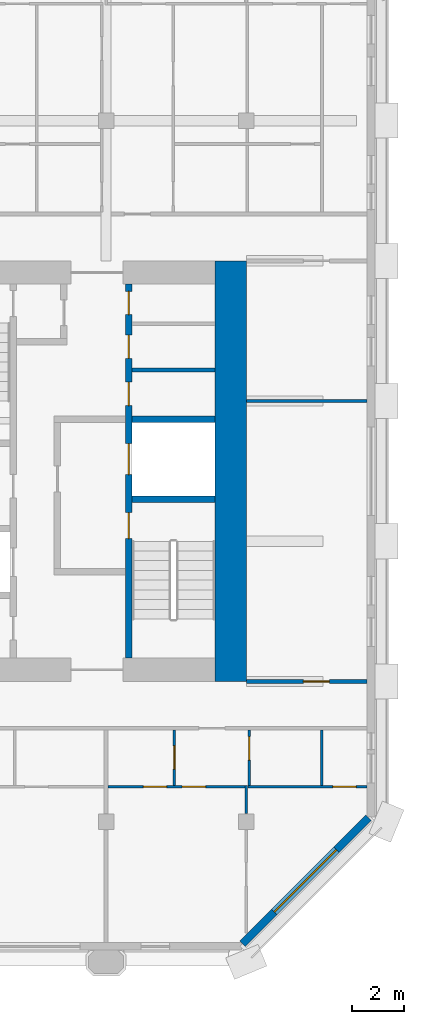
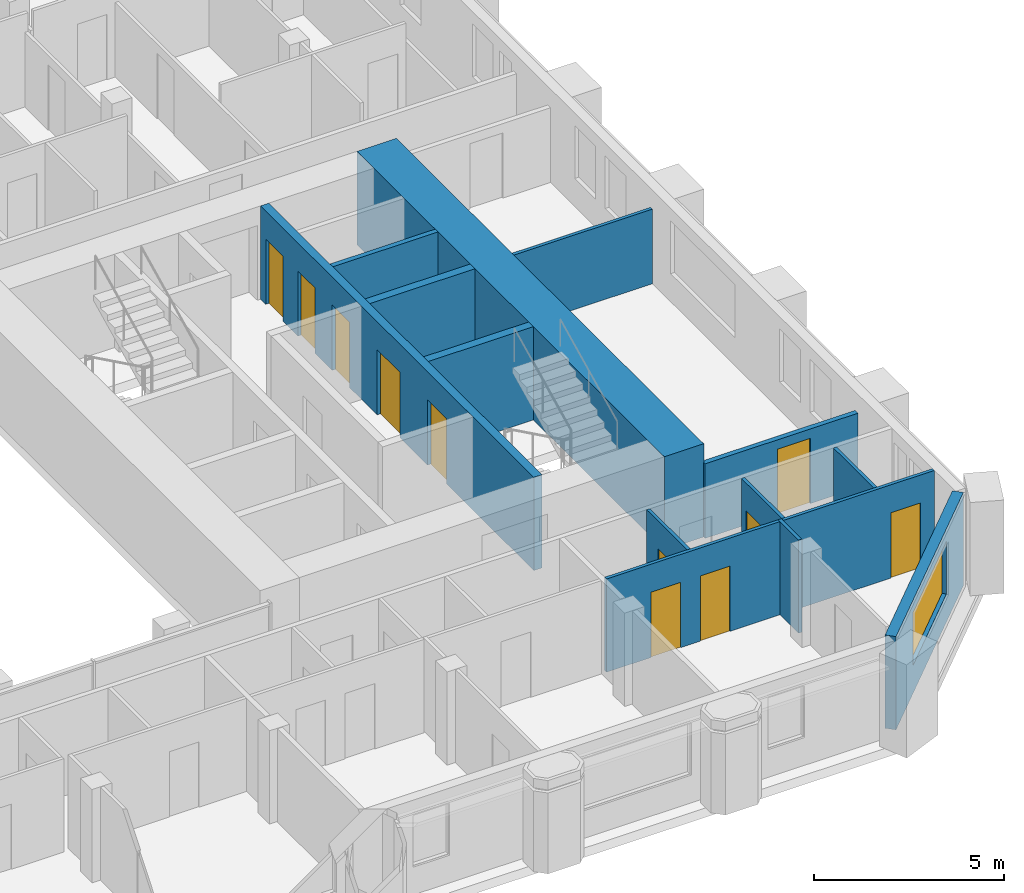
# One storey, part 7 of 13: 14 walls, 11 doors, 1 window, 12 openings.
"""IFC4 building model written with IfcOpenShell, lengths in metres."""

from ifc_helpers import new_model, si_unit, direction, frame, frame_2d, origin, place, context, subcontext, project, spatial, rectangle, extrude, material, layer, layer_set, type_object, element, fill, save


model = new_model("IFC4")

# Units and contexts
model_context = context("Model", 3, precision=1e-05, world=origin(), true_north=direction((0.0, 1.0)))
body_context = subcontext(model_context, "Body", "Model", "MODEL_VIEW")
ifc_project = project(units=[si_unit("LENGTHUNIT", "METRE"), si_unit("AREAUNIT", "SQUARE_METRE"), si_unit("VOLUMEUNIT", "CUBIC_METRE"), si_unit("PLANEANGLEUNIT", "RADIAN"), si_unit("MASSUNIT", "GRAM", prefix="KILO")], contexts=[model_context])

# Site, building, storey
site_placement = place(None, origin())
site = spatial("IfcSite", under=ifc_project, at=site_placement, CompositionType="ELEMENT")
building_placement = place(site_placement, origin())
building = spatial("IfcBuilding", under=site, at=building_placement, Name="Tabaq Tower and Sports Hall", CompositionType="ELEMENT")
storey_placement = place(building_placement, frame((0.0, 0.0, 301.60009765625)))
storey = spatial("IfcBuildingStorey", under=building, at=storey_placement, Name="L75", CompositionType="ELEMENT", Elevation=301.60009765625)

# Walls
ifc_material_1 = material(Name="Blockwork", Category="masonry")
ifc_layer_1 = layer(ifc_material_1, 0.14990234375)
ifc_layer_set_1 = layer_set([ifc_layer_1], Name="Core room partition 150 Blockwork")
wall_type_1 = type_object("IfcWallType", Name="Core room partition 150 Blockwork", PredefinedType="PARTITIONING", material=ifc_layer_set_1)
wall_1_placement = place(storey_placement, frame((38.800048828125, 28.200927734375, 0.0), z_axis=(0.0, 0.0, 1.0), x_axis=(1.0, 0.0, 0.0)))
element("IfcWall", 1, at=wall_1_placement, inside=storey, type_object=wall_type_1, Name="Core room partition E L75", PredefinedType="PARTITIONING", context=body_context, shape_type="SweptSolid", body=[
    extrude(rectangle(XDim=3.199951171875, YDim=0.14990234375, at=frame_2d((1.60009765625, 0.0))), origin(), (0.0, 0.0, 1.0), 3.0),
])
ifc_material_2 = material(Name="Concrete C40/50", Category="concrete")
ifc_layer_2 = layer(ifc_material_2, 1.199951171875)
ifc_layer_set_2 = layer_set([ifc_layer_2], Name="Core wall 1200 Concrete C40/50")
wall_type_2 = type_object("IfcWallType", Name="Core wall 1200 Concrete C40/50", PredefinedType="SOLIDWALL", material=ifc_layer_set_2)
wall_2_placement = place(storey_placement, frame((42.60009765625, 32.39990234375, 0.0), z_axis=(0.0, 0.0, 1.0), x_axis=(0.0, -1.0, 0.0)))
element("IfcWall", 2, at=wall_2_placement, inside=storey, type_object=wall_type_2, Name="Core wall E L75", PredefinedType="SOLIDWALL", context=body_context, shape_type="SweptSolid", body=[
    extrude(rectangle(XDim=16.199951171875, YDim=1.199951171875, at=frame_2d((8.10009765625, 0.0))), origin(), (0.0, 0.0, 1.0), 3.0),
])
ifc_material_3 = material(Name="Gypsum board on steel studs", Category="steel")
ifc_layer_3 = layer(ifc_material_3, 0.10009765625)
ifc_layer_set_3 = layer_set([ifc_layer_3], Name="Partition 100 Gypsum board")
wall_type_3 = type_object("IfcWallType", Name="Partition 100 Gypsum board", PredefinedType="PARTITIONING", material=ifc_layer_set_3)
wall_3_placement = place(storey_placement, frame((43.199951171875, 27.0, 0.0), z_axis=(0.0, 0.0, 1.0), x_axis=(1.0, 0.0, 0.0)))
element("IfcWall", 3, at=wall_3_placement, inside=storey, type_object=wall_type_3, Name="Partition wall L75", PredefinedType="PARTITIONING", context=body_context, shape_type="SweptSolid", body=[
    extrude(rectangle(XDim=4.649169921875, YDim=0.10009765625, at=frame_2d((2.32470703125, 0.0))), origin(), (0.0, 0.0, 1.0), 2.39990234375),
])
wall_4_placement = place(storey_placement, frame((43.199951171875, 11.1201171875, 0.0), z_axis=(0.0, 0.0, 1.0), x_axis=(0.0, 1.0, 0.0)))
element("IfcWall", 4, at=wall_4_placement, inside=storey, type_object=wall_type_3, Name="Partition wall L75", PredefinedType="PARTITIONING", context=body_context, shape_type="SweptSolid", body=[
    extrude(rectangle(XDim=1.079833984375, YDim=0.10009765625, at=frame_2d((0.5400390625, 0.0))), origin(), (0.0, 0.0, 1.0), 3.0),
])

# Wall, openings, doors
wall_5_placement = place(storey_placement, frame((43.14990234375, 12.14990234375, 0.0), z_axis=(0.0, 0.0, 1.0), x_axis=(-1.0, 0.0, 0.0)))
wall_5 = element("IfcWall", 5, at=wall_5_placement, inside=storey, type_object=wall_type_3, Name="Partition wall L75", PredefinedType="PARTITIONING", context=body_context, shape_type="SweptSolid", body=[
    extrude(rectangle(XDim=5.27490234375, YDim=0.10009765625, at=frame_2d((2.637451171875, 0.0))), origin(), (0.0, 0.0, 1.0), 3.0),
])
opening_1_placement = place(wall_5_placement, frame((3.01708984375, 0.0, 0.0)))
opening_1 = element("IfcOpeningElement", 6, at=opening_1_placement, cuts=wall_5, Name="Opening L75-049", PredefinedType="OPENING", context=body_context, shape_type="SweptSolid", body=[
    extrude(rectangle(XDim=0.89990234375, YDim=2.10009765625, at=frame_2d((0.449951171875, 1.050048828125))), frame((0.0, 0.050048828125, 0.0), z_axis=(0.0, -1.0, 0.0), x_axis=(1.0, 0.0, 0.0)), (0.0, 0.0, 1.0), 0.10009765625),
])
opening_2_placement = place(wall_5_placement, frame((1.51708984375, 0.0, 0.0)))
opening_2 = element("IfcOpeningElement", 7, at=opening_2_placement, cuts=wall_5, Name="Opening L75-058", PredefinedType="OPENING", context=body_context, shape_type="SweptSolid", body=[
    extrude(rectangle(XDim=0.89990234375, YDim=2.10009765625, at=frame_2d((0.449951171875, 1.050048828125))), frame((0.0, 0.050048828125, 0.0), z_axis=(0.0, -1.0, 0.0), x_axis=(1.0, 0.0, 0.0)), (0.0, 0.0, 1.0), 0.10009765625),
])
ifc_material_4 = material(Name="Timber leaf in steel frame", Category="steel")
door_type_1 = type_object("IfcDoorType", Name="Internal door 900 left hand", OperationType="SINGLE_SWING_LEFT", PredefinedType="DOOR", material=ifc_material_4)
door_1_placement = place(opening_2_placement, origin())
door_1 = element("IfcDoor", 8, at=door_1_placement, inside=storey, type_object=door_type_1, Name="Internal door L75-058", OperationType="SINGLE_SWING_LEFT", OverallHeight=2.10009765625, OverallWidth=0.89990234375, PredefinedType="DOOR", context=body_context, shape_type="SweptSolid", body=[
    extrude(rectangle(XDim=0.89990234375, YDim=2.10009765625, at=frame_2d((0.449951171875, 1.050048828125))), frame((0.0, 0.02490234375, 0.0), z_axis=(0.0, -1.0, 0.0), x_axis=(1.0, 0.0, 0.0)), (0.0, 0.0, 1.0), 0.050048828125),
])
fill(opening_2, door_1)
ifc_material_5 = material(Name="Timber leaf in steel frame", Category="steel")
door_type_2 = type_object("IfcDoorType", Name="Internal door 900 right hand", OperationType="SINGLE_SWING_RIGHT", PredefinedType="DOOR", material=ifc_material_5)
door_2_placement = place(opening_1_placement, origin())
door_2 = element("IfcDoor", 9, at=door_2_placement, inside=storey, type_object=door_type_2, Name="Internal door L75-049", OperationType="SINGLE_SWING_RIGHT", OverallHeight=2.10009765625, OverallWidth=0.89990234375, PredefinedType="DOOR", context=body_context, shape_type="SweptSolid", body=[
    extrude(rectangle(XDim=0.89990234375, YDim=2.10009765625, at=frame_2d((0.449951171875, 1.050048828125))), frame((0.0, 0.02490234375, 0.0), z_axis=(0.0, -1.0, 0.0), x_axis=(1.0, 0.0, 0.0)), (0.0, 0.0, 1.0), 0.050048828125),
])
fill(opening_1, door_2)

# Wall, opening, door
wall_6_placement = place(storey_placement, frame((47.84912109375, 12.14990234375, 0.0), z_axis=(0.0, 0.0, 1.0), x_axis=(-1.0, 0.0, 0.0)))
wall_6 = element("IfcWall", 10, at=wall_6_placement, inside=storey, type_object=wall_type_3, Name="Partition wall L75", PredefinedType="PARTITIONING", context=body_context, shape_type="SweptSolid", body=[
    extrude(rectangle(XDim=4.587158203125, YDim=0.10009765625, at=frame_2d((2.29345703125, 0.0))), origin(), (0.0, 0.0, 1.0), 3.0),
])
opening_3_placement = place(wall_6_placement, frame((0.41796875, 0.0, 0.0)))
opening_3 = element("IfcOpeningElement", 11, at=opening_3_placement, cuts=wall_6, Name="Opening L75-025", PredefinedType="OPENING", context=body_context, shape_type="SweptSolid", body=[
    extrude(rectangle(XDim=0.89990234375, YDim=2.10009765625, at=frame_2d((0.449951171875, 1.050048828125))), frame((0.0, 0.050048828125, 0.0), z_axis=(0.0, -1.0, 0.0), x_axis=(1.0, 0.0, 0.0)), (0.0, 0.0, 1.0), 0.10009765625),
])
door_3_placement = place(opening_3_placement, origin())
door_3 = element("IfcDoor", 12, at=door_3_placement, inside=storey, type_object=door_type_1, Name="Internal door L75-025", OperationType="SINGLE_SWING_LEFT", OverallHeight=2.10009765625, OverallWidth=0.89990234375, PredefinedType="DOOR", context=body_context, shape_type="SweptSolid", body=[
    extrude(rectangle(XDim=0.89990234375, YDim=2.10009765625, at=frame_2d((0.449951171875, 1.050048828125))), frame((0.0, 0.02490234375, 0.0), z_axis=(0.0, -1.0, 0.0), x_axis=(1.0, 0.0, 0.0)), (0.0, 0.0, 1.0), 0.050048828125),
])
fill(opening_3, door_3)

wall_7_placement = place(storey_placement, frame((40.43310546875, 12.199951171875, 0.0), z_axis=(0.0, 0.0, 1.0), x_axis=(0.0, 1.0, 0.0)))
wall_7 = element("IfcWall", 13, at=wall_7_placement, inside=storey, type_object=wall_type_3, Name="Partition wall L75", PredefinedType="PARTITIONING", context=body_context, shape_type="SweptSolid", body=[
    extrude(rectangle(XDim=2.125, YDim=0.10009765625, at=frame_2d((1.0625, 0.0))), origin(), (0.0, 0.0, 1.0), 3.0),
])
opening_4_placement = place(wall_7_placement, frame((0.625, 0.0, 0.0)))
opening_4 = element("IfcOpeningElement", 14, at=opening_4_placement, cuts=wall_7, Name="Opening L75-050", PredefinedType="OPENING", context=body_context, shape_type="SweptSolid", body=[
    extrude(rectangle(XDim=0.89990234375, YDim=2.10009765625, at=frame_2d((0.449951171875, 1.050048828125))), frame((0.0, 0.050048828125, 0.0), z_axis=(0.0, -1.0, 0.0), x_axis=(1.0, 0.0, 0.0)), (0.0, 0.0, 1.0), 0.10009765625),
])
door_4_placement = place(opening_4_placement, origin())
door_4 = element("IfcDoor", 15, at=door_4_placement, inside=storey, type_object=door_type_1, Name="Internal door L75-050", OperationType="SINGLE_SWING_LEFT", OverallHeight=2.10009765625, OverallWidth=0.89990234375, PredefinedType="DOOR", context=body_context, shape_type="SweptSolid", body=[
    extrude(rectangle(XDim=0.89990234375, YDim=2.10009765625, at=frame_2d((0.449951171875, 1.050048828125))), frame((0.0, 0.02490234375, 0.0), z_axis=(0.0, -1.0, 0.0), x_axis=(1.0, 0.0, 0.0)), (0.0, 0.0, 1.0), 0.050048828125),
])
fill(opening_4, door_4)

wall_8_placement = place(storey_placement, frame((43.31201171875, 12.199951171875, 0.0), z_axis=(0.0, 0.0, 1.0), x_axis=(0.0, 1.0, 0.0)))
wall_8 = element("IfcWall", 16, at=wall_8_placement, inside=storey, type_object=wall_type_3, Name="Partition wall L75", PredefinedType="PARTITIONING", context=body_context, shape_type="SweptSolid", body=[
    extrude(rectangle(XDim=2.125, YDim=0.10009765625, at=frame_2d((1.0625, 0.0))), origin(), (0.0, 0.0, 1.0), 3.0),
])
opening_5_placement = place(wall_8_placement, frame((0.97509765625, 0.0, 0.0)))
opening_5 = element("IfcOpeningElement", 17, at=opening_5_placement, cuts=wall_8, Name="Opening L75-026", PredefinedType="OPENING", context=body_context, shape_type="SweptSolid", body=[
    extrude(rectangle(XDim=0.89990234375, YDim=2.10009765625, at=frame_2d((0.449951171875, 1.050048828125))), frame((0.0, 0.050048828125, 0.0), z_axis=(0.0, -1.0, 0.0), x_axis=(1.0, 0.0, 0.0)), (0.0, 0.0, 1.0), 0.10009765625),
])
door_5_placement = place(opening_5_placement, origin())
door_5 = element("IfcDoor", 18, at=door_5_placement, inside=storey, type_object=door_type_1, Name="Internal door L75-026", OperationType="SINGLE_SWING_LEFT", OverallHeight=2.10009765625, OverallWidth=0.89990234375, PredefinedType="DOOR", context=body_context, shape_type="SweptSolid", body=[
    extrude(rectangle(XDim=0.89990234375, YDim=2.10009765625, at=frame_2d((0.449951171875, 1.050048828125))), frame((0.0, 0.02490234375, 0.0), z_axis=(0.0, -1.0, 0.0), x_axis=(1.0, 0.0, 0.0)), (0.0, 0.0, 1.0), 0.050048828125),
])
fill(opening_5, door_5)

# Wall
wall_9_placement = place(storey_placement, frame((46.112060546875, 12.199951171875, 0.0), z_axis=(0.0, 0.0, 1.0), x_axis=(0.0, 1.0, 0.0)))
element("IfcWall", 19, at=wall_9_placement, inside=storey, type_object=wall_type_3, Name="Partition wall L75", PredefinedType="PARTITIONING", context=body_context, shape_type="SweptSolid", body=[
    extrude(rectangle(XDim=2.125, YDim=0.10009765625, at=frame_2d((1.0625, 0.0))), origin(), (0.0, 0.0, 1.0), 3.0),
])

# Wall, opening, door
ifc_material_6 = material(Name="Blockwork", Category="masonry")
ifc_layer_4 = layer(ifc_material_6, 0.14990234375)
ifc_layer_set_4 = layer_set([ifc_layer_4], Name="Separating wall 150 Blockwork")
wall_type_4 = type_object("IfcWallType", Name="Separating wall 150 Blockwork", PredefinedType="PARTITIONING", material=ifc_layer_set_4)
wall_10_placement = place(storey_placement, frame((43.199951171875, 16.199951171875, 0.0), z_axis=(0.0, 0.0, 1.0), x_axis=(1.0, 0.0, 0.0)))
wall_10 = element("IfcWall", 20, at=wall_10_placement, inside=storey, type_object=wall_type_4, Name="Separating wall L75", PredefinedType="PARTITIONING", context=body_context, shape_type="SweptSolid", body=[
    extrude(rectangle(XDim=4.649169921875, YDim=0.14990234375, at=frame_2d((2.32470703125, 0.0))), origin(), (0.0, 0.0, 1.0), 2.39990234375),
])
opening_6_placement = place(wall_10_placement, frame((2.199951171875, 0.0, 0.0)))
opening_6 = element("IfcOpeningElement", 21, at=opening_6_placement, cuts=wall_10, Name="Opening L75-027", PredefinedType="OPENING", context=body_context, shape_type="SweptSolid", body=[
    extrude(rectangle(XDim=1.0, YDim=2.10009765625, at=frame_2d((0.5, 1.050048828125))), frame((0.0, 0.074951171875, 0.0), z_axis=(0.0, -1.0, 0.0), x_axis=(1.0, 0.0, 0.0)), (0.0, 0.0, 1.0), 0.14990234375),
])
ifc_material_7 = material(Name="Timber leaf in steel frame", Category="steel")
door_type_3 = type_object("IfcDoorType", Name="Internal door 1000 right hand", OperationType="SINGLE_SWING_RIGHT", PredefinedType="DOOR", material=ifc_material_7)
door_6_placement = place(opening_6_placement, origin())
door_6 = element("IfcDoor", 22, at=door_6_placement, inside=storey, type_object=door_type_3, Name="Internal door L75-027", OperationType="SINGLE_SWING_RIGHT", OverallHeight=2.10009765625, OverallWidth=1.0, PredefinedType="DOOR", context=body_context, shape_type="SweptSolid", body=[
    extrude(rectangle(XDim=1.0, YDim=2.10009765625, at=frame_2d((0.5, 1.050048828125))), frame((0.0, 0.02490234375, 0.0), z_axis=(0.0, -1.0, 0.0), x_axis=(1.0, 0.0, 0.0)), (0.0, 0.0, 1.0), 0.050048828125),
])
fill(opening_6, door_6)

# Wall, openings, doors
ifc_material_8 = material(Name="Concrete C40/50", Category="concrete")
ifc_layer_5 = layer(ifc_material_8, 0.25)
ifc_layer_set_5 = layer_set([ifc_layer_5], Name="Shaft and stair wall 250 Concrete C40/50")
wall_type_5 = type_object("IfcWallType", Name="Shaft and stair wall 250 Concrete C40/50", PredefinedType="SOLIDWALL", material=ifc_layer_set_5)
wall_11_placement = place(storey_placement, frame((38.675048828125, 17.10009765625, 0.0), z_axis=(0.0, 0.0, 1.0), x_axis=(0.0, 1.0, 0.0)))
wall_11 = element("IfcWall", 23, at=wall_11_placement, inside=storey, type_object=wall_type_5, Name="Shaft wall E L75", PredefinedType="SOLIDWALL", context=body_context, shape_type="SweptSolid", body=[
    extrude(rectangle(XDim=14.39990234375, YDim=0.25, at=frame_2d((7.199951171875, 0.0))), origin(), (0.0, 0.0, 1.0), 3.0),
])
opening_7_placement = place(wall_11_placement, frame((4.60009765625, 0.0, 0.0)))
opening_7 = element("IfcOpeningElement", 24, at=opening_7_placement, cuts=wall_11, Name="Opening SD-EL75-03", PredefinedType="OPENING", context=body_context, shape_type="SweptSolid", body=[
    extrude(rectangle(XDim=1.0, YDim=2.10009765625, at=frame_2d((0.5, 1.050048828125))), frame((0.0, 0.125, 0.0), z_axis=(0.0, -1.0, 0.0), x_axis=(1.0, 0.0, 0.0)), (0.0, 0.0, 1.0), 0.25),
])
opening_8_placement = place(wall_11_placement, frame((7.0625, 0.0, 0.0)))
opening_8 = element("IfcOpeningElement", 25, at=opening_8_placement, cuts=wall_11, Name="Opening LD-FF2-L75", PredefinedType="OPENING", context=body_context, shape_type="SweptSolid", body=[
    extrude(rectangle(XDim=1.199951171875, YDim=2.10009765625, at=frame_2d((0.60009765625, 1.050048828125))), frame((0.0, 0.125, 0.0), z_axis=(0.0, -1.0, 0.0), x_axis=(1.0, 0.0, 0.0)), (0.0, 0.0, 1.0), 0.25),
])
opening_9_placement = place(wall_11_placement, frame((9.7255859375, 0.0, 0.0)))
opening_9 = element("IfcOpeningElement", 26, at=opening_9_placement, cuts=wall_11, Name="Opening RD-EL75-09", PredefinedType="OPENING", context=body_context, shape_type="SweptSolid", body=[
    extrude(rectangle(XDim=0.89990234375, YDim=2.10009765625, at=frame_2d((0.449951171875, 1.050048828125))), frame((0.0, 0.125, 0.0), z_axis=(0.0, -1.0, 0.0), x_axis=(1.0, 0.0, 0.0)), (0.0, 0.0, 1.0), 0.25),
])
opening_10_placement = place(wall_11_placement, frame((11.5390625, 0.0, 0.0)))
opening_10 = element("IfcOpeningElement", 27, at=opening_10_placement, cuts=wall_11, Name="Opening RD-EL75-10", PredefinedType="OPENING", context=body_context, shape_type="SweptSolid", body=[
    extrude(rectangle(XDim=0.89990234375, YDim=2.10009765625, at=frame_2d((0.449951171875, 1.050048828125))), frame((0.0, 0.125, 0.0), z_axis=(0.0, -1.0, 0.0), x_axis=(1.0, 0.0, 0.0)), (0.0, 0.0, 1.0), 0.25),
])
opening_11_placement = place(wall_11_placement, frame((13.22607421875, 0.0, 0.0)))
opening_11 = element("IfcOpeningElement", 28, at=opening_11_placement, cuts=wall_11, Name="Opening RD-EL75-11", PredefinedType="OPENING", context=body_context, shape_type="SweptSolid", body=[
    extrude(rectangle(XDim=0.89990234375, YDim=2.10009765625, at=frame_2d((0.449951171875, 1.050048828125))), frame((0.0, 0.125, 0.0), z_axis=(0.0, -1.0, 0.0), x_axis=(1.0, 0.0, 0.0)), (0.0, 0.0, 1.0), 0.25),
])
ifc_material_9 = material(Name="Steel fire door", Category="steel")
door_type_4 = type_object("IfcDoorType", Name="Core room door 900", OperationType="SINGLE_SWING_LEFT", PredefinedType="DOOR", material=ifc_material_9)
door_7_placement = place(opening_9_placement, origin())
door_7 = element("IfcDoor", 29, at=door_7_placement, inside=storey, type_object=door_type_4, Name="Door Cleaner's Store E L75", OperationType="SINGLE_SWING_LEFT", OverallHeight=2.10009765625, OverallWidth=0.89990234375, PredefinedType="DOOR", context=body_context, shape_type="SweptSolid", body=[
    extrude(rectangle(XDim=0.89990234375, YDim=2.10009765625, at=frame_2d((0.449951171875, 1.050048828125))), frame((0.0, 0.02490234375, 0.0), z_axis=(0.0, -1.0, 0.0), x_axis=(1.0, 0.0, 0.0)), (0.0, 0.0, 1.0), 0.050048828125),
])
fill(opening_9, door_7)
door_8_placement = place(opening_10_placement, origin())
door_8 = element("IfcDoor", 30, at=door_8_placement, inside=storey, type_object=door_type_4, Name="Door Refuse Room E L75", OperationType="SINGLE_SWING_LEFT", OverallHeight=2.10009765625, OverallWidth=0.89990234375, PredefinedType="DOOR", context=body_context, shape_type="SweptSolid", body=[
    extrude(rectangle(XDim=0.89990234375, YDim=2.10009765625, at=frame_2d((0.449951171875, 1.050048828125))), frame((0.0, 0.02490234375, 0.0), z_axis=(0.0, -1.0, 0.0), x_axis=(1.0, 0.0, 0.0)), (0.0, 0.0, 1.0), 0.050048828125),
])
fill(opening_10, door_8)
door_9_placement = place(opening_11_placement, origin())
door_9 = element("IfcDoor", 31, at=door_9_placement, inside=storey, type_object=door_type_4, Name="Door Riser Room E L75", OperationType="SINGLE_SWING_LEFT", OverallHeight=2.10009765625, OverallWidth=0.89990234375, PredefinedType="DOOR", context=body_context, shape_type="SweptSolid", body=[
    extrude(rectangle(XDim=0.89990234375, YDim=2.10009765625, at=frame_2d((0.449951171875, 1.050048828125))), frame((0.0, 0.02490234375, 0.0), z_axis=(0.0, -1.0, 0.0), x_axis=(1.0, 0.0, 0.0)), (0.0, 0.0, 1.0), 0.050048828125),
])
fill(opening_11, door_9)
ifc_material_10 = material(Name="Stainless steel", Category="steel")
door_type_5 = type_object("IfcDoorType", Name="Lift landing door 1200", OperationType="DOUBLE_DOOR_SLIDING", PredefinedType="DOOR", material=ifc_material_10)
door_10_placement = place(opening_8_placement, origin())
door_10 = element("IfcDoor", 32, at=door_10_placement, inside=storey, type_object=door_type_5, Name="Lift landing door FF2 E L75", OperationType="DOUBLE_DOOR_SLIDING", OverallHeight=2.10009765625, OverallWidth=1.199951171875, PredefinedType="DOOR", context=body_context, shape_type="SweptSolid", body=[
    extrude(rectangle(XDim=1.199951171875, YDim=2.10009765625, at=frame_2d((0.60009765625, 1.050048828125))), frame((0.0, 0.02490234375, 0.0), z_axis=(0.0, -1.0, 0.0), x_axis=(1.0, 0.0, 0.0)), (0.0, 0.0, 1.0), 0.050048828125),
])
fill(opening_8, door_10)
ifc_material_11 = material(Name="Steel fire door", Category="steel")
door_type_6 = type_object("IfcDoorType", Name="Stair door 1000", OperationType="SINGLE_SWING_LEFT", PredefinedType="DOOR", material=ifc_material_11)
door_11_placement = place(opening_7_placement, origin())
door_11 = element("IfcDoor", 33, at=door_11_placement, inside=storey, type_object=door_type_6, Name="Stair door ST3 E L75", OperationType="SINGLE_SWING_LEFT", OverallHeight=2.10009765625, OverallWidth=1.0, PredefinedType="DOOR", context=body_context, shape_type="SweptSolid", body=[
    extrude(rectangle(XDim=1.0, YDim=2.10009765625, at=frame_2d((0.5, 1.050048828125))), frame((0.0, 0.02490234375, 0.0), z_axis=(0.0, -1.0, 0.0), x_axis=(1.0, 0.0, 0.0)), (0.0, 0.0, 1.0), 0.050048828125),
])
fill(opening_7, door_11)

# Walls
for number, where, z_axis, x_axis, name in (
    (34, (38.800048828125, 23.22509765625, 0.0), (0.0, 0.0, 1.0), (1.0, 0.0, 0.0), "Stair enclosure wall E L75"),
    (35, (38.800048828125, 26.300048828125, 0.0), (0.0, 0.0, 1.0), (1.0, 0.0, 0.0), "Shaft wall E L75"),
):
    element("IfcWall", number, at=place(storey_placement, frame(where, z_axis=z_axis, x_axis=x_axis)), inside=storey, type_object=wall_type_5, Name=name, PredefinedType="SOLIDWALL", context=body_context, shape_type="SweptSolid", body=[
        extrude(rectangle(XDim=3.199951171875, YDim=0.25, at=frame_2d((1.60009765625, 0.0))), origin(), (0.0, 0.0, 1.0), 3.0),
    ])

# Wall, opening, window
ifc_material_12 = material(Name="White precast concrete C60/75", Category="concrete")
ifc_layer_6 = layer(ifc_material_12, 0.300048828125)
ifc_layer_set_6 = layer_set([ifc_layer_6], Name="White precast concrete C60/75 external wall 300")
wall_type_6 = type_object("IfcWallType", Name="White precast concrete C60/75 external wall 300", PredefinedType="SOLIDWALL", material=ifc_layer_set_6)
wall_12_placement = place(storey_placement, frame((43.050537109375, 6.098876953125, 0.0), z_axis=(0.0, 0.0, 1.0), x_axis=(0.707106781187, 0.707106781187, 0.0)))
wall_12 = element("IfcWall", 36, at=wall_12_placement, inside=storey, type_object=wall_type_6, Name="External Wall L75 SE", PredefinedType="SOLIDWALL", context=body_context, shape_type="SweptSolid", body=[
    extrude(rectangle(XDim=6.85986328125, YDim=0.300048828125, at=frame_2d((3.429931640625, 0.0))), origin(), (0.0, 0.0, 1.0), 3.0),
])
opening_12_placement = place(wall_12_placement, frame((1.729736328125, 0.0, 0.89990234375)))
opening_12 = element("IfcOpeningElement", 37, at=opening_12_placement, cuts=wall_12, Name="Opening W1A", PredefinedType="OPENING", context=body_context, shape_type="SweptSolid", body=[
    extrude(rectangle(XDim=3.39990234375, YDim=1.699951171875, at=frame_2d((1.699951171875, 0.85009765625))), frame((0.0, 0.16015625, 0.0), z_axis=(0.0, -1.0, 0.0), x_axis=(1.0, 0.0, 0.0)), (0.0, 0.0, 1.0), 0.320068359375),
])
ifc_material_13 = material(Name="Aluminium framed clear glazing", Category="aluminium")
window_type = type_object("IfcWindowType", Name="Window W1A", PartitioningType="SINGLE_PANEL", PredefinedType="WINDOW", material=ifc_material_13)
window_placement = place(opening_12_placement, origin())
window = element("IfcWindow", 38, at=window_placement, inside=storey, type_object=window_type, Name="Window W1A L75", OverallHeight=1.699951171875, OverallWidth=3.39990234375, PartitioningType="SINGLE_PANEL", PredefinedType="WINDOW", context=body_context, shape_type="SweptSolid", body=[
    extrude(rectangle(XDim=3.39990234375, YDim=1.699951171875, at=frame_2d((1.699951171875, 0.85009765625))), frame((0.0, 0.030029296875, 0.0), z_axis=(0.0, -1.0, 0.0), x_axis=(1.0, 0.0, 0.0)), (0.0, 0.0, 1.0), 0.06005859375),
])
fill(opening_12, window)

save(model, "model.ifc")
